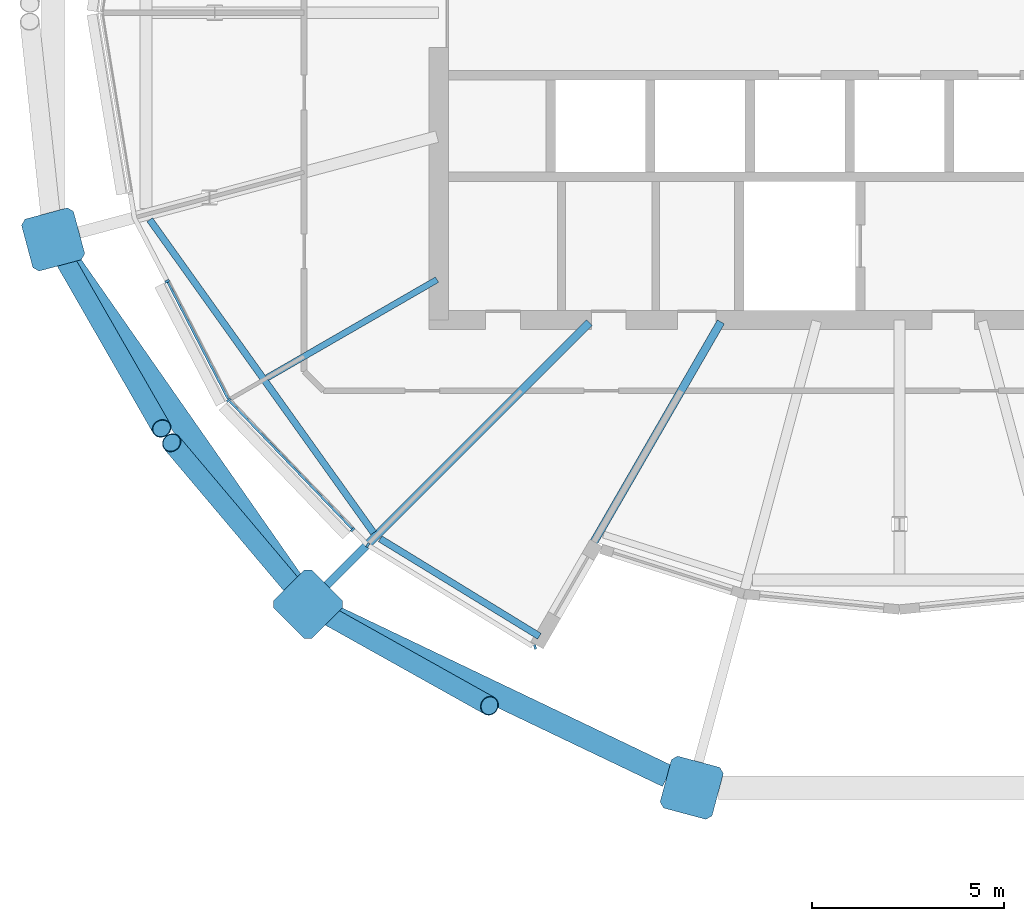
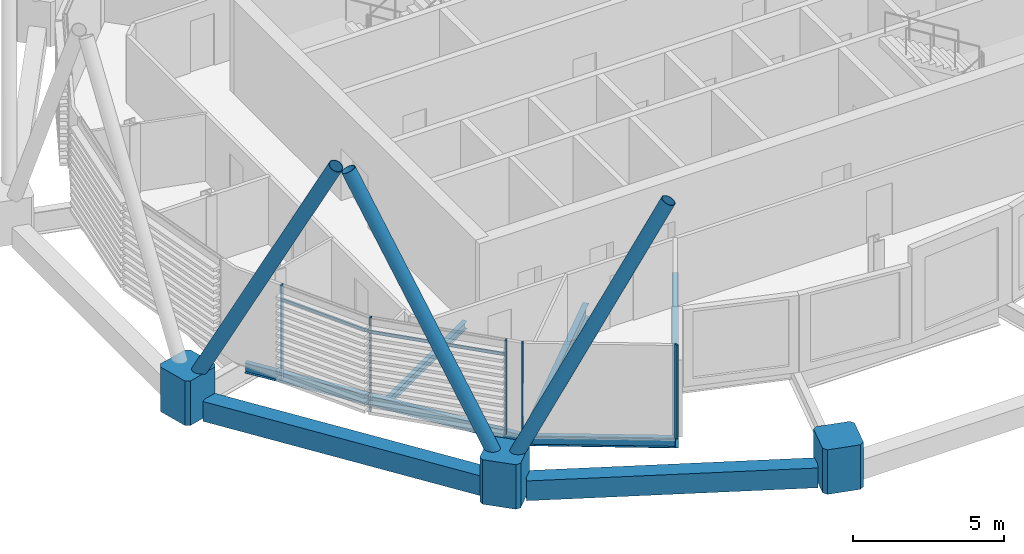
# One storey, part 3 of 34: 13 members, 7 beams, 1 element without a shape of its own.
"""IFC4 building model written with IfcOpenShell, lengths in metres."""

from ifc_helpers import new_model, si_unit, direction, frame, origin, origin_2d, place, context, subcontext, project, spatial, polyline, rectangle, hollow_rectangle, hollow_circle, i_section, outline, extrude, material, material_profile, profile_set, type_object, element, aggregate, save


model = new_model("IFC4")

# Units and contexts
model_context = context("Model", 3, precision=1e-05, world=origin(), true_north=direction((0.0, 1.0)))
body_context = subcontext(model_context, "Body", "Model", "MODEL_VIEW")
ifc_project = project(units=[si_unit("LENGTHUNIT", "METRE"), si_unit("AREAUNIT", "SQUARE_METRE"), si_unit("VOLUMEUNIT", "CUBIC_METRE"), si_unit("PLANEANGLEUNIT", "RADIAN"), si_unit("MASSUNIT", "GRAM", prefix="KILO")], contexts=[model_context])

# Site, building, storey
site_placement = place(None, origin())
site = spatial("IfcSite", under=ifc_project, at=site_placement, CompositionType="ELEMENT")
building_placement = place(site_placement, origin())
building = spatial("IfcBuilding", under=site, at=building_placement, Name="Rimbun Link Towers", CompositionType="ELEMENT")
storey_placement = place(building_placement, frame((0.0, 0.0, 221.89990234375)))
storey = spatial("IfcBuildingStorey", under=building, at=storey_placement, Name="L54", CompositionType="ELEMENT", Elevation=221.89990234375)

# Curtain wall, members
ifc_material_1 = material(Name="Aluminium 6063-T6 and low-iron glass", Category="aluminium")
curtain_wall_type = type_object("IfcCurtainWallType", Name="CW1-Z4 unitised vision wall (zone 4)", PredefinedType="NOTDEFINED", material=ifc_material_1)
curtain_wall_placement = place(storey_placement, origin())
curtain_wall = element("IfcCurtainWall", 1, at=curtain_wall_placement, inside=storey, type_object=curtain_wall_type, Name="CW1 L54 T1", PredefinedType="NOTDEFINED")
ifc_material_2 = material(Name="Aluminium 6063-T6", Category="aluminium")
ifc_material_profile_1 = material_profile(ifc_material_2, rectangle(XDim=0.1201171875, YDim=0.06005859375, at=origin_2d()), Name="MULLION 60X120")
ifc_profile_set_1 = profile_set([ifc_material_profile_1], Name="Aluminium 6063-T6")
member_type_1 = type_object("IfcMemberType", Name="CW1 mullion 60X120", PredefinedType="MULLION", material=ifc_profile_set_1)
member_1_placement = place(storey_placement, frame((-49.217041015625, -10.09130859375, 0.0), z_axis=(0.0, 0.0, 1.0), x_axis=(-0.813353544339, -0.581769724128, 0.0)))
member_1 = element("IfcMember", 2, at=member_1_placement, type_object=member_type_1, Name="CW1 mullion", PredefinedType="MULLION", context=body_context, shape_type="SweptSolid", body=[
    extrude(rectangle(XDim=0.1201171875, YDim=0.06005859375, at=origin_2d()), origin(), (0.0, 0.0, 1.0), 3.800048828125),
])
member_2_placement = place(storey_placement, frame((-50.8203125, -6.994140625, 0.0), z_axis=(0.0, 0.0, 1.0), x_axis=(-0.888152943593, -0.459547983117, 0.0)))
member_2 = element("IfcMember", 3, at=member_2_placement, type_object=member_type_1, Name="CW1 mullion", PredefinedType="MULLION", context=body_context, shape_type="SweptSolid", body=[
    extrude(rectangle(XDim=0.1201171875, YDim=0.06005859375, at=origin_2d()), origin(), (0.0, 0.0, 1.0), 3.800048828125),
])
member_3_placement = place(storey_placement, frame((-45.989013671875, -13.45947265625, 0.0), z_axis=(0.0, 0.0, 1.0), x_axis=(-0.721853472084, -0.692045926829, 0.0)))
member_3 = element("IfcMember", 4, at=member_3_placement, type_object=member_type_1, Name="CW1 mullion", PredefinedType="MULLION", context=body_context, shape_type="SweptSolid", body=[
    extrude(rectangle(XDim=0.1201171875, YDim=0.06005859375, at=origin_2d()), origin(), (0.0, 0.0, 1.0), 3.800048828125),
])
member_4_placement = place(storey_placement, frame((-41.239501953125, -16.52001953125, 0.0), z_axis=(0.0, 0.0, 1.0), x_axis=(0.245735205797, -0.969336994359, 0.0)))
member_4 = element("IfcMember", 5, at=member_4_placement, type_object=member_type_1, Name="CW1 mullion", PredefinedType="MULLION", context=body_context, shape_type="SweptSolid", body=[
    extrude(rectangle(XDim=0.1201171875, YDim=0.06005859375, at=origin_2d()), origin(), (0.0, 0.0, 1.0), 3.800048828125),
])
member_5_placement = place(storey_placement, frame((-45.596435546875, -13.8662109375, 0.0), z_axis=(0.0, 0.0, 1.0), x_axis=(-0.523236839844, -0.852187308888, 0.0)))
member_5 = element("IfcMember", 6, at=member_5_placement, type_object=member_type_1, Name="CW1 mullion", PredefinedType="MULLION", context=body_context, shape_type="SweptSolid", body=[
    extrude(rectangle(XDim=0.1201171875, YDim=0.06005859375, at=origin_2d()), origin(), (0.0, 0.0, 1.0), 3.800048828125),
])
ifc_material_3 = material(Name="Aluminium 6063-T6", Category="aluminium")
ifc_material_profile_2 = material_profile(ifc_material_3, rectangle(XDim=0.06005859375, YDim=0.1201171875, at=origin_2d()), Name="TRANSOM 60X120")
ifc_profile_set_2 = profile_set([ifc_material_profile_2], Name="Aluminium 6063-T6")
member_type_2 = type_object("IfcMemberType", Name="CW1 transom 60X120", PredefinedType="USERDEFINED", material=ifc_profile_set_2)
member_6_placement = place(storey_placement, frame((-49.233642578125, -10.056396484375, 3.2001953125), z_axis=(-0.459566661911, 0.888143278565, 0.0), x_axis=(-0.888143278565, -0.459566661911, 0.0)))
member_6 = element("IfcMember", 7, at=member_6_placement, type_object=member_type_2, Name="CW1 transom", ObjectType="TRANSOM", PredefinedType="USERDEFINED", context=body_context, shape_type="SweptSolid", body=[
    extrude(rectangle(XDim=0.06005859375, YDim=0.1201171875, at=origin_2d()), origin(), (0.0, 0.0, 1.0), 3.4189453125),
])
member_7_placement = place(storey_placement, frame((-46.00830078125, -13.4365234375, 3.2001953125), z_axis=(-0.692051852121, 0.721847791418, 0.0), x_axis=(-0.721847791418, -0.692051852121, 0.0)))
member_7 = element("IfcMember", 8, at=member_7_placement, type_object=member_type_2, Name="CW1 transom", ObjectType="TRANSOM", PredefinedType="USERDEFINED", context=body_context, shape_type="SweptSolid", body=[
    extrude(rectangle(XDim=0.06005859375, YDim=0.1201171875, at=origin_2d()), origin(), (0.0, 0.0, 1.0), 4.5966796875),
])
aggregate(curtain_wall, [member_1, member_2, member_3, member_4, member_5, member_6, member_7])

# Members
ifc_material_4 = material(Name="Steel S355J2H", Category="steel")
ifc_material_profile_3 = material_profile(ifc_material_4, hollow_circle(Radius=0.25390625, WallThickness=0.02001953125, at=origin_2d()), Name="Diagrid diagonal CHS 508x20")
ifc_profile_set_3 = profile_set([ifc_material_profile_3], Name="Steel S355J2H")
member_type_3 = type_object("IfcMemberType", Name="Diagrid diagonal CHS 508x20", PredefinedType="BRACE", material=ifc_profile_set_3)
member_8_placement = place(storey_placement, frame((-53.67626953125, -6.105224609375, 0.444091796875), z_axis=(0.229027300633, -0.398931490252, 0.887919006244), x_axis=(0.867242701375, 0.497885626336, 0.0)))
element("IfcMember", 9, at=member_8_placement, inside=storey, type_object=member_type_3, Name="Diagrid diagonal T1 L54-L57 13b", PredefinedType="BRACE", context=body_context, shape_type="SweptSolid", body=[
    extrude(hollow_circle(Radius=0.25390625, WallThickness=0.02001953125, at=origin_2d()), origin(), (0.0, 0.0, 1.0), 11.8388671875),
])
member_9_placement = place(storey_placement, frame((-47.30078125, -15.234375, 0.44677734375), z_axis=(-0.28955822764, 0.343167817756, 0.893527773302), x_axis=(-0.764280087871, -0.644884444908, 0.0)))
element("IfcMember", 10, at=member_9_placement, inside=storey, type_object=member_type_3, Name="Diagrid diagonal T1 L54-L57 15a", PredefinedType="BRACE", context=body_context, shape_type="SweptSolid", body=[
    extrude(hollow_circle(Radius=0.25390625, WallThickness=0.02001953125, at=origin_2d()), origin(), (0.0, 0.0, 1.0), 11.758544921875),
])
member_10_placement = place(storey_placement, frame((-46.96240234375, -15.51416015625, 0.4482421875), z_axis=(0.387003624061, -0.2164186933, 0.896320893516), x_axis=(0.488082495623, 0.872797500837, 0.0)))
element("IfcMember", 11, at=member_10_placement, inside=storey, type_object=member_type_3, Name="Diagrid diagonal T1 L54-L57 15b", PredefinedType="BRACE", context=body_context, shape_type="SweptSolid", body=[
    extrude(hollow_circle(Radius=0.25390625, WallThickness=0.02001953125, at=origin_2d()), origin(), (0.0, 0.0, 1.0), 11.71875),
])
ifc_material_5 = material(Name="Cast steel G20Mn5+QT, Rp0.2 300 MPa", Category="steel")
ifc_material_profile_4 = material_profile(ifc_material_5, outline(polyline([(0.699951171875, -0.570068359375), (0.699951171875, 0.570068359375), (0.570068359375, 0.699951171875), (-0.570068359375, 0.699951171875), (-0.699951171875, 0.570068359375), (-0.699951171875, -0.570068359375), (-0.570068359375, -0.699951171875), (0.570068359375, -0.699951171875), (0.699951171875, -0.570068359375)])), Name="NODE 1400x1400")
ifc_profile_set_4 = profile_set([ifc_material_profile_4], Name="Cast steel G20Mn5+QT, Rp0.2 300 MPa")
member_type_4 = type_object("IfcMemberType", Name="Diagrid node cast 1400", PredefinedType="USERDEFINED", material=ifc_profile_set_4)
for number, where, z_axis, x_axis, name in (
    (12, (-53.790771484375, -5.90576171875, -0.89990234375), (0.0, 0.0, 1.0), (-0.965925826289, -0.258819045103, 0.0), "Diagrid node L54 13"),
    (13, (-47.156005859375, -15.406005859375, -0.89990234375), (0.0, 0.0, 1.0), (-0.707106781187, -0.707106781187, 0.0), "Diagrid node L54 15"),
    (14, (-37.15869140625, -20.185302734375, -0.89990234375), (0.0, 0.0, 1.0), (-0.258819045103, -0.965925826289, 0.0), "Diagrid node L54 17"),
):
    element("IfcMember", number, at=place(storey_placement, frame(where, z_axis=z_axis, x_axis=x_axis)), inside=storey, type_object=member_type_4, Name=name, ObjectType="Diagrid node", PredefinedType="USERDEFINED", context=body_context, shape_type="SweptSolid", body=[
        extrude(outline(polyline([(0.699951171875, -0.570068359375), (0.699951171875, 0.570068359375), (0.570068359375, 0.699951171875), (-0.570068359375, 0.699951171875), (-0.699951171875, 0.570068359375), (-0.699951171875, -0.570068359375), (-0.570068359375, -0.699951171875), (0.570068359375, -0.699951171875), (0.699951171875, -0.570068359375)])), origin(), (0.0, 0.0, 1.0), 1.800048828125),
    ])

# Beams
ifc_material_6 = material(Name="Steel S355J2", Category="steel")
ifc_material_profile_5 = material_profile(ifc_material_6, hollow_rectangle(XDim=0.60009765625, YDim=0.800048828125, WallThickness=0.0400390625, at=origin_2d()), Name="Exoskeleton ring girder BOX 600x800x40")
ifc_profile_set_5 = profile_set([ifc_material_profile_5], Name="Steel S355J2")
beam_type_1 = type_object("IfcBeamType", Name="Exoskeleton ring girder BOX 600x800x40", PredefinedType="BEAM", material=ifc_profile_set_5)
beam_1_placement = place(storey_placement, frame((-53.389892578125, -6.479736328125, -0.559814453125), z_axis=(0.572582245507, -0.819847285859, 0.0), x_axis=(0.819847285859, 0.572582245507, 0.0)))
element("IfcBeam", 15, at=beam_1_placement, inside=storey, type_object=beam_type_1, Name="Exoskeleton ring girder L54 06", PredefinedType="BEAM", context=body_context, shape_type="SweptSolid", body=[
    extrude(hollow_rectangle(XDim=0.60009765625, YDim=0.800048828125, WallThickness=0.0400390625, at=origin_2d()), origin(), (0.0, 0.0, 1.0), 10.187744140625),
])
beam_2_placement = place(storey_placement, frame((-46.5244140625, -15.707763671875, -0.559814453125), z_axis=(0.902205479774, -0.431306471393, 0.0), x_axis=(0.431306471393, 0.902205479774, 0.0)))
element("IfcBeam", 16, at=beam_2_placement, inside=storey, type_object=beam_type_1, Name="Exoskeleton ring girder L54 07", PredefinedType="BEAM", context=body_context, shape_type="SweptSolid", body=[
    extrude(hollow_rectangle(XDim=0.60009765625, YDim=0.800048828125, WallThickness=0.0400390625, at=origin_2d()), origin(), (0.0, 0.0, 1.0), 9.68115234375),
])
ifc_material_7 = material(Name="Steel S355J2", Category="steel")
ifc_material_profile_6 = material_profile(ifc_material_7, i_section(OverallWidth=0.1650390625, OverallDepth=0.303466796875, WebThickness=0.006103515625, FlangeThickness=0.01025390625, at=origin_2d()), Name="UB 305x165x40")
ifc_profile_set_6 = profile_set([ifc_material_profile_6], Name="Steel S355J2")
beam_type_2 = type_object("IfcBeamType", Name="UB 305x165x40", PredefinedType="BEAM", material=ifc_profile_set_6)
beam_3_placement = place(storey_placement, frame((-43.7919921875, -6.952392578125, -0.29150390625), z_axis=(-0.866016235635, -0.500015879365, 0.0), x_axis=(0.500015879365, -0.866016235635, 0.0)))
element("IfcBeam", 17, at=beam_3_placement, inside=storey, type_object=beam_type_2, Name="Radial beam T1 L54 14", PredefinedType="BEAM", context=body_context, shape_type="SweptSolid", body=[
    extrude(i_section(OverallWidth=0.1650390625, OverallDepth=0.303466796875, WebThickness=0.006103515625, FlangeThickness=0.01025390625, at=origin_2d()), origin(), (0.0, 0.0, 1.0), 5.113525390625),
])
ifc_material_8 = material(Name="Steel S355J2", Category="steel")
ifc_material_profile_7 = material_profile(ifc_material_8, i_section(OverallWidth=0.177978515625, OverallDepth=0.406494140625, WebThickness=0.0078125, FlangeThickness=0.0126953125, at=origin_2d()), Name="UB 406x178x60")
ifc_profile_set_7 = profile_set([ifc_material_profile_7], Name="Steel S355J2")
beam_type_3 = type_object("IfcBeamType", Name="UB 406x178x60", PredefinedType="BEAM", material=ifc_profile_set_7)
beam_4_placement = place(storey_placement, frame((-51.274658203125, -5.390625, -0.343017578125), z_axis=(0.581484672655, -0.813557358437, 0.0), x_axis=(0.813557358437, 0.581484672655, 0.0)))
element("IfcBeam", 18, at=beam_4_placement, inside=storey, type_object=beam_type_3, Name="Edge beam T1 L54 13-15", PredefinedType="BEAM", context=body_context, shape_type="SweptSolid", body=[
    extrude(i_section(OverallWidth=0.177978515625, OverallDepth=0.406494140625, WebThickness=0.0078125, FlangeThickness=0.0126953125, at=origin_2d()), origin(), (0.0, 0.0, 1.0), 10.0244140625),
])
beam_5_placement = place(storey_placement, frame((-45.2724609375, -13.701171875, -0.343017578125), z_axis=(0.852732602627, -0.522347689205, 0.0), x_axis=(0.522347689205, 0.852732602627, 0.0)))
element("IfcBeam", 19, at=beam_5_placement, inside=storey, type_object=beam_type_3, Name="Edge beam T1 L54 15", PredefinedType="BEAM", context=body_context, shape_type="SweptSolid", body=[
    extrude(i_section(OverallWidth=0.177978515625, OverallDepth=0.406494140625, WebThickness=0.0078125, FlangeThickness=0.0126953125, at=origin_2d()), origin(), (0.0, 0.0, 1.0), 4.86083984375),
])
ifc_material_9 = material(Name="Steel S355J2", Category="steel")
ifc_material_profile_8 = material_profile(ifc_material_9, i_section(OverallWidth=0.209228515625, OverallDepth=0.533203125, WebThickness=0.010009765625, FlangeThickness=0.015625, at=origin_2d()), Name="UB 533x210x92")
ifc_profile_set_8 = profile_set([ifc_material_profile_8], Name="Steel S355J2")
beam_type_4 = type_object("IfcBeamType", Name="UB 533x210x92", PredefinedType="BEAM", material=ifc_profile_set_8)
beam_6_placement = place(storey_placement, frame((-39.82470703125, -8.07470703125, -0.406494140625), z_axis=(-0.707106781187, -0.707106781187, 0.0), x_axis=(0.707106781187, -0.707106781187, 0.0)))
element("IfcBeam", 20, at=beam_6_placement, inside=storey, type_object=beam_type_4, Name="Radial beam T1 L54 15", PredefinedType="BEAM", context=body_context, shape_type="SweptSolid", body=[
    extrude(i_section(OverallWidth=0.209228515625, OverallDepth=0.533203125, WebThickness=0.010009765625, FlangeThickness=0.015625, at=origin_2d()), origin(), (0.0, 0.0, 1.0), 9.86767578125),
])
beam_7_placement = place(storey_placement, frame((-36.3994140625, -8.05322265625, -0.406494140625), z_axis=(-0.500003052504, -0.866023641413, 0.0), x_axis=(0.866023641413, -0.500003052504, 0.0)))
element("IfcBeam", 21, at=beam_7_placement, inside=storey, type_object=beam_type_4, Name="Radial beam T1 L54 16", PredefinedType="BEAM", context=body_context, shape_type="SweptSolid", body=[
    extrude(i_section(OverallWidth=0.209228515625, OverallDepth=0.533203125, WebThickness=0.010009765625, FlangeThickness=0.015625, at=origin_2d()), origin(), (0.0, 0.0, 1.0), 9.3642578125),
])

save(model, "model.ifc")
